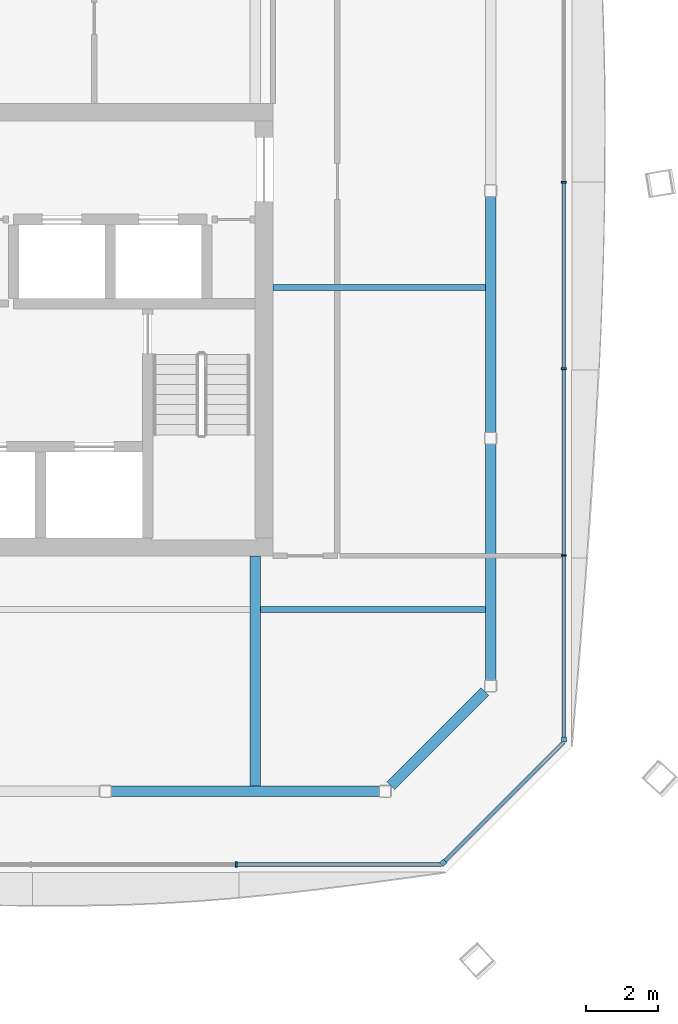
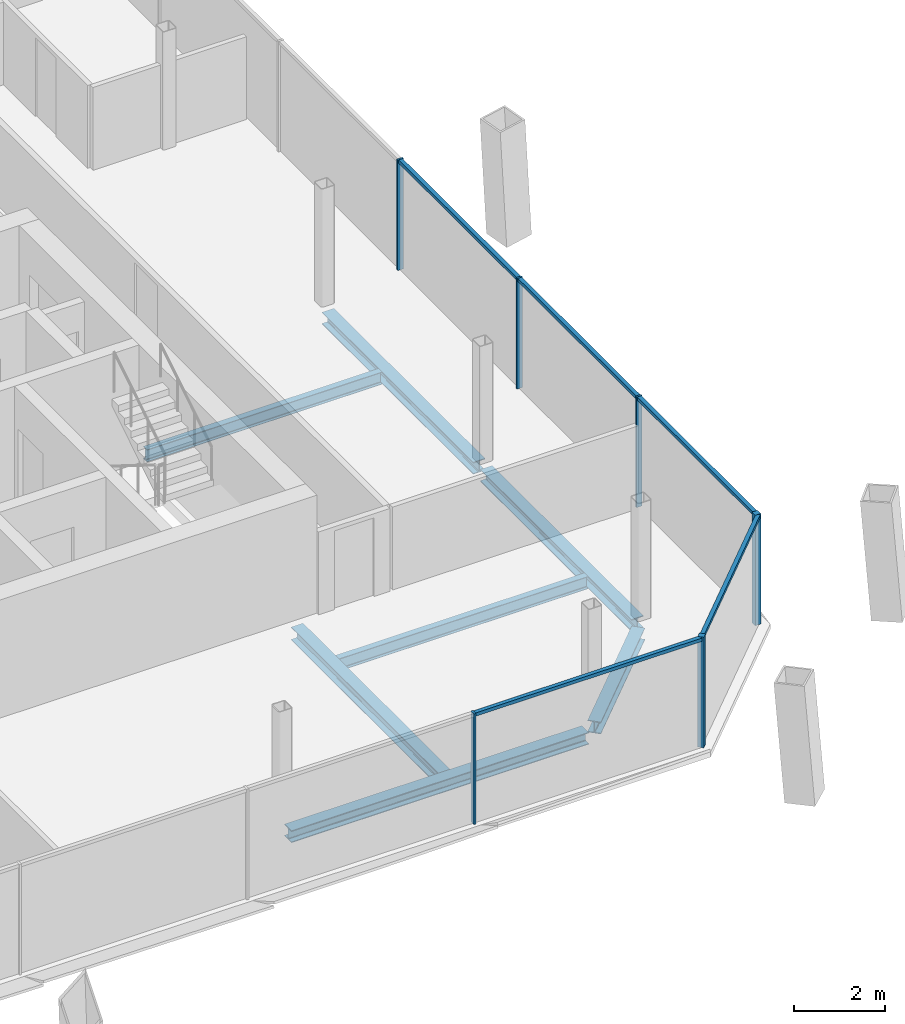
# One storey, part 8 of 20: 11 members, 7 beams, 3 elements without a shape of their own.
"""IFC4 building model written with IfcOpenShell, lengths in metres."""

from ifc_helpers import new_model, si_unit, direction, frame, origin, origin_2d, place, context, subcontext, project, spatial, rectangle, i_section, extrude, material, material_profile, profile_set, type_object, element, aggregate, save


model = new_model("IFC4")

# Units and contexts
model_context = context("Model", 3, precision=1e-05, world=origin(), true_north=direction((0.0, 1.0)))
body_context = subcontext(model_context, "Body", "Model", "MODEL_VIEW")
ifc_project = project(units=[si_unit("LENGTHUNIT", "METRE"), si_unit("AREAUNIT", "SQUARE_METRE"), si_unit("VOLUMEUNIT", "CUBIC_METRE"), si_unit("PLANEANGLEUNIT", "RADIAN"), si_unit("MASSUNIT", "GRAM", prefix="KILO")], contexts=[model_context])

# Site, building, storey
site_placement = place(None, origin())
site = spatial("IfcSite", under=ifc_project, at=site_placement, CompositionType="ELEMENT")
building_placement = place(site_placement, origin())
building = spatial("IfcBuilding", under=site, at=building_placement, Name="Tskaro Facet Tower", CompositionType="ELEMENT")
storey_placement = place(building_placement, frame((0.0, 0.0, 187.949951171875)))
storey = spatial("IfcBuildingStorey", under=building, at=storey_placement, Name="L47", CompositionType="ELEMENT", Elevation=187.949951171875)

# Curtain wall, member
ifc_material_1 = material(Name="Bronze anodised aluminium 6063-T6", Category="aluminium")
curtain_wall_type = type_object("IfcCurtainWallType", Name="Bronze residence curtain wall (FW3)", PredefinedType="NOTDEFINED", material=ifc_material_1)
curtain_wall_1_placement = place(storey_placement, origin())
curtain_wall_1 = element("IfcCurtainWall", 1, at=curtain_wall_1_placement, inside=storey, type_object=curtain_wall_type, Name="FW3 south-east facet L47", PredefinedType="NOTDEFINED")
ifc_material_profile_1 = material_profile(ifc_material_1, rectangle(XDim=0.139892578125, YDim=0.139892578125, at=origin_2d()), Name="Corner post 140x140")
ifc_profile_set_1 = profile_set([ifc_material_profile_1], Name="Bronze anodised aluminium 6063-T6")
member_type_1 = type_object("IfcMemberType", Name="FW3 bronze corner post 140x140", PredefinedType="MULLION", material=ifc_profile_set_1)
member_1_placement = place(storey_placement, frame((14.258544921875, -20.57861328125, 0.0), z_axis=(0.0, 0.0, 1.0), x_axis=(0.707106781187, 0.707106781187, 0.0)))
member_1 = element("IfcMember", 2, at=member_1_placement, type_object=member_type_1, Name="FW3 south-east corner post", PredefinedType="MULLION", context=body_context, shape_type="SweptSolid", body=[
    extrude(rectangle(XDim=0.139892578125, YDim=0.139892578125, at=origin_2d()), origin(), (0.0, 0.0, 1.0), 2.949951171875),
])

curtain_wall_2_placement = place(storey_placement, origin())
curtain_wall_2 = element("IfcCurtainWall", 3, at=curtain_wall_2_placement, inside=storey, type_object=curtain_wall_type, Name="FW3 east facet L47", PredefinedType="NOTDEFINED")
member_2_placement = place(storey_placement, frame((17.6279296875, -17.138916015625, 0.0), z_axis=(0.0, 0.0, 1.0), x_axis=(0.0, 1.0, 0.0)))
member_2 = element("IfcMember", 4, at=member_2_placement, type_object=member_type_1, Name="FW3 east corner post", PredefinedType="MULLION", context=body_context, shape_type="SweptSolid", body=[
    extrude(rectangle(XDim=0.139892578125, YDim=0.139892578125, at=origin_2d()), origin(), (0.0, 0.0, 1.0), 2.949951171875),
])

curtain_wall_3_placement = place(storey_placement, origin())
curtain_wall_3 = element("IfcCurtainWall", 5, at=curtain_wall_3_placement, inside=storey, type_object=curtain_wall_type, Name="FW3 south facet L47", PredefinedType="NOTDEFINED")
ifc_material_profile_2 = material_profile(ifc_material_1, rectangle(XDim=0.050048828125, YDim=0.139892578125, at=origin_2d()), Name="Mullion 50x140")
ifc_profile_set_2 = profile_set([ifc_material_profile_2], Name="Bronze anodised aluminium 6063-T6")
member_type_2 = type_object("IfcMemberType", Name="FW3 bronze mullion 50x140", PredefinedType="MULLION", material=ifc_profile_set_2)
member_3_placement = place(storey_placement, frame((8.47265625, -20.6279296875, 0.0), z_axis=(0.0, 0.0, 1.0), x_axis=(1.0, 0.0, 0.0)))
member_3 = element("IfcMember", 6, at=member_3_placement, type_object=member_type_2, Name="FW3 south mullion 5", PredefinedType="MULLION", context=body_context, shape_type="SweptSolid", body=[
    extrude(rectangle(XDim=0.050048828125, YDim=0.139892578125, at=origin_2d()), origin(), (0.0, 0.0, 1.0), 2.949951171875),
])

# Member
member_4_placement = place(storey_placement, frame((17.6279296875, -11.99072265625, 0.0), z_axis=(0.0, 0.0, 1.0), x_axis=(0.0, 1.0, 0.0)))
member_4 = element("IfcMember", 7, at=member_4_placement, type_object=member_type_2, Name="FW3 east mullion 1", PredefinedType="MULLION", context=body_context, shape_type="SweptSolid", body=[
    extrude(rectangle(XDim=0.050048828125, YDim=0.139892578125, at=origin_2d()), origin(), (0.0, 0.0, 1.0), 2.949951171875),
])

member_5_placement = place(storey_placement, frame((17.6279296875, -6.772705078125, 0.0), z_axis=(0.0, 0.0, 1.0), x_axis=(0.0, 1.0, 0.0)))
member_5 = element("IfcMember", 8, at=member_5_placement, type_object=member_type_2, Name="FW3 east mullion 2", PredefinedType="MULLION", context=body_context, shape_type="SweptSolid", body=[
    extrude(rectangle(XDim=0.050048828125, YDim=0.139892578125, at=origin_2d()), origin(), (0.0, 0.0, 1.0), 2.949951171875),
])

member_6_placement = place(storey_placement, frame((17.6279296875, -1.554443359375, 0.0), z_axis=(0.0, 0.0, 1.0), x_axis=(0.0, 1.0, 0.0)))
member_6 = element("IfcMember", 9, at=member_6_placement, type_object=member_type_2, Name="FW3 east mullion 3", PredefinedType="MULLION", context=body_context, shape_type="SweptSolid", body=[
    extrude(rectangle(XDim=0.050048828125, YDim=0.139892578125, at=origin_2d()), origin(), (0.0, 0.0, 1.0), 2.949951171875),
])

ifc_material_profile_3 = material_profile(ifc_material_1, rectangle(XDim=0.10009765625, YDim=0.090087890625, at=origin_2d()), Name="Transom 100x90")
ifc_profile_set_3 = profile_set([ifc_material_profile_3], Name="Bronze anodised aluminium 6063-T6")
member_type_3 = type_object("IfcMemberType", Name="FW3 bronze transom 100x90", PredefinedType="USERDEFINED", material=ifc_profile_set_3)
member_7_placement = place(storey_placement, frame((8.49755859375, -20.6279296875, 2.905029296875), z_axis=(1.0, 0.0, 0.0), x_axis=(0.0, 1.0, 0.0)))
member_7 = element("IfcMember", 10, at=member_7_placement, type_object=member_type_3, Name="FW3 south transom 6.1", ObjectType="TRANSOM", PredefinedType="USERDEFINED", context=body_context, shape_type="SweptSolid", body=[
    extrude(rectangle(XDim=0.10009765625, YDim=0.090087890625, at=origin_2d()), origin(), (0.0, 0.0, 1.0), 5.71142578125),
])

aggregate(curtain_wall_3, [member_3, member_7])

member_8_placement = place(storey_placement, frame((14.30810546875, -20.529052734375, 2.905029296875), z_axis=(0.707080781268, 0.707132780149, 0.0), x_axis=(-0.707132780149, 0.707080781268, 0.0)))
member_8 = element("IfcMember", 11, at=member_8_placement, type_object=member_type_3, Name="FW3 south-east transom 1.1", ObjectType="TRANSOM", PredefinedType="USERDEFINED", context=body_context, shape_type="SweptSolid", body=[
    extrude(rectangle(XDim=0.10009765625, YDim=0.090087890625, at=origin_2d()), origin(), (0.0, 0.0, 1.0), 4.695068359375),
])

aggregate(curtain_wall_1, [member_1, member_8])

member_9_placement = place(storey_placement, frame((17.6279296875, -17.069091796875, 2.905029296875), z_axis=(0.0, 1.0, 0.0), x_axis=(-1.0, 0.0, 0.0)))
member_9 = element("IfcMember", 12, at=member_9_placement, type_object=member_type_3, Name="FW3 east transom 1.1", ObjectType="TRANSOM", PredefinedType="USERDEFINED", context=body_context, shape_type="SweptSolid", body=[
    extrude(rectangle(XDim=0.10009765625, YDim=0.090087890625, at=origin_2d()), origin(), (0.0, 0.0, 1.0), 5.05322265625),
])

member_10_placement = place(storey_placement, frame((17.6279296875, -11.9658203125, 2.905029296875), z_axis=(0.0, 1.0, 0.0), x_axis=(-1.0, 0.0, 0.0)))
member_10 = element("IfcMember", 13, at=member_10_placement, type_object=member_type_3, Name="FW3 east transom 2.1", ObjectType="TRANSOM", PredefinedType="USERDEFINED", context=body_context, shape_type="SweptSolid", body=[
    extrude(rectangle(XDim=0.10009765625, YDim=0.090087890625, at=origin_2d()), origin(), (0.0, 0.0, 1.0), 5.168212890625),
])

member_11_placement = place(storey_placement, frame((17.6279296875, -6.74755859375, 2.905029296875), z_axis=(0.0, 1.0, 0.0), x_axis=(-1.0, 0.0, 0.0)))
member_11 = element("IfcMember", 14, at=member_11_placement, type_object=member_type_3, Name="FW3 east transom 3.1", ObjectType="TRANSOM", PredefinedType="USERDEFINED", context=body_context, shape_type="SweptSolid", body=[
    extrude(rectangle(XDim=0.10009765625, YDim=0.090087890625, at=origin_2d()), origin(), (0.0, 0.0, 1.0), 5.16796875),
])

aggregate(curtain_wall_2, [member_2, member_4, member_5, member_6, member_9, member_10, member_11])

# Beams
ifc_material_2 = material(Name="Steel S355J2", Category="steel")
ifc_material_profile_4 = material_profile(ifc_material_2, i_section(OverallWidth=0.300048828125, OverallDepth=0.320068359375, WebThickness=0.011474609375, FlangeThickness=0.0205078125, FilletRadius=0.027099609375, at=origin_2d()), Name="HE 320 B")
ifc_profile_set_4 = profile_set([ifc_material_profile_4], Name="Steel S355J2")
beam_type_1 = type_object("IfcBeamType", Name="HE 320 B ring beam", PredefinedType="BEAM", material=ifc_profile_set_4)
beam_1_placement = place(storey_placement, frame((4.971923828125, -18.5830078125, -0.300048828125), z_axis=(1.0, 0.0, 0.0), x_axis=(0.0, 1.0, 0.0)))
element("IfcBeam", 15, at=beam_1_placement, inside=storey, type_object=beam_type_1, Name="HE 320 B EB4-4", PredefinedType="BEAM", context=body_context, shape_type="SweptSolid", body=[
    extrude(i_section(OverallWidth=0.300048828125, OverallDepth=0.320068359375, WebThickness=0.011474609375, FlangeThickness=0.0205078125, FilletRadius=0.027099609375, at=origin_2d()), origin(), (0.0, 0.0, 1.0), 7.506103515625),
])
beam_2_placement = place(storey_placement, frame((12.7939453125, -18.422119140625, -0.300048828125), z_axis=(0.707106781187, 0.707106781187, 0.0), x_axis=(-0.707106781187, 0.707106781187, 0.0)))
element("IfcBeam", 16, at=beam_2_placement, inside=storey, type_object=beam_type_1, Name="HE 320 B EB5-4", PredefinedType="BEAM", context=body_context, shape_type="SweptSolid", body=[
    extrude(i_section(OverallWidth=0.300048828125, OverallDepth=0.320068359375, WebThickness=0.011474609375, FlangeThickness=0.0205078125, FilletRadius=0.027099609375, at=origin_2d()), origin(), (0.0, 0.0, 1.0), 3.716796875),
])
for number, where, z_axis, x_axis, name in (
    (17, (15.5830078125, -15.47802734375, -0.300048828125), (0.0, 1.0, 0.0), (-1.0, 0.0, 0.0), "HE 320 B EB6-4"),
    (18, (15.5830078125, -8.55810546875, -0.300048828125), (0.0, 1.0, 0.0), (-1.0, 0.0, 0.0), "HE 320 B EB7-4"),
):
    element("IfcBeam", number, at=place(storey_placement, frame(where, z_axis=z_axis, x_axis=x_axis)), inside=storey, type_object=beam_type_1, Name=name, PredefinedType="BEAM", context=body_context, shape_type="SweptSolid", body=[
        extrude(i_section(OverallWidth=0.300048828125, OverallDepth=0.320068359375, WebThickness=0.011474609375, FlangeThickness=0.0205078125, FilletRadius=0.027099609375, at=origin_2d()), origin(), (0.0, 0.0, 1.0), 6.610107421875),
    ])
ifc_material_profile_5 = material_profile(ifc_material_2, i_section(OverallWidth=0.300048828125, OverallDepth=0.35009765625, WebThickness=0.010009765625, FlangeThickness=0.017578125, FilletRadius=0.027099609375, at=origin_2d()), Name="HE 360 A")
ifc_profile_set_5 = profile_set([ifc_material_profile_5], Name="Steel S355J2")
beam_type_2 = type_object("IfcBeamType", Name="HE 360 A girder", PredefinedType="BEAM", material=ifc_profile_set_5)
beam_3_placement = place(storey_placement, frame((9.0, -18.43310546875, -0.31494140625), z_axis=(0.0, 1.0, 0.0), x_axis=(-1.0, 0.0, 0.0)))
element("IfcBeam", 19, at=beam_3_placement, inside=storey, type_object=beam_type_2, Name="HE 360 A GB5-1-4", PredefinedType="BEAM", context=body_context, shape_type="SweptSolid", body=[
    extrude(i_section(OverallWidth=0.300048828125, OverallDepth=0.35009765625, WebThickness=0.010009765625, FlangeThickness=0.017578125, FilletRadius=0.027099609375, at=origin_2d()), origin(), (0.0, 0.0, 1.0), 6.43310546875),
])
ifc_material_profile_6 = material_profile(ifc_material_2, i_section(OverallWidth=0.159912109375, OverallDepth=0.330078125, WebThickness=0.007568359375, FlangeThickness=0.011474609375, FilletRadius=0.01806640625, at=origin_2d()), Name="IPE 330")
ifc_profile_set_6 = profile_set([ifc_material_profile_6], Name="Steel S355J2")
beam_type_3 = type_object("IfcBeamType", Name="IPE 330 secondary beam", PredefinedType="BEAM", material=ifc_profile_set_6)
beam_4_placement = place(storey_placement, frame((9.14990234375, -13.5, -0.304931640625), z_axis=(1.0, 0.0, 0.0), x_axis=(0.0, 1.0, 0.0)))
element("IfcBeam", 20, at=beam_4_placement, inside=storey, type_object=beam_type_3, Name="IPE 330 SB2a-5-4", PredefinedType="BEAM", context=body_context, shape_type="SweptSolid", body=[
    extrude(i_section(OverallWidth=0.159912109375, OverallDepth=0.330078125, WebThickness=0.007568359375, FlangeThickness=0.011474609375, FilletRadius=0.01806640625, at=origin_2d()), origin(), (0.0, 0.0, 1.0), 6.283203125),
])
beam_5_placement = place(storey_placement, frame((9.5, -4.5, -0.304931640625), z_axis=(1.0, 0.0, 0.0), x_axis=(0.0, 1.0, 0.0)))
element("IfcBeam", 21, at=beam_5_placement, inside=storey, type_object=beam_type_3, Name="IPE 330 SB3a-3-4", PredefinedType="BEAM", context=body_context, shape_type="SweptSolid", body=[
    extrude(i_section(OverallWidth=0.159912109375, OverallDepth=0.330078125, WebThickness=0.007568359375, FlangeThickness=0.011474609375, FilletRadius=0.01806640625, at=origin_2d()), origin(), (0.0, 0.0, 1.0), 5.93310546875),
])

save(model, "model.ifc")
